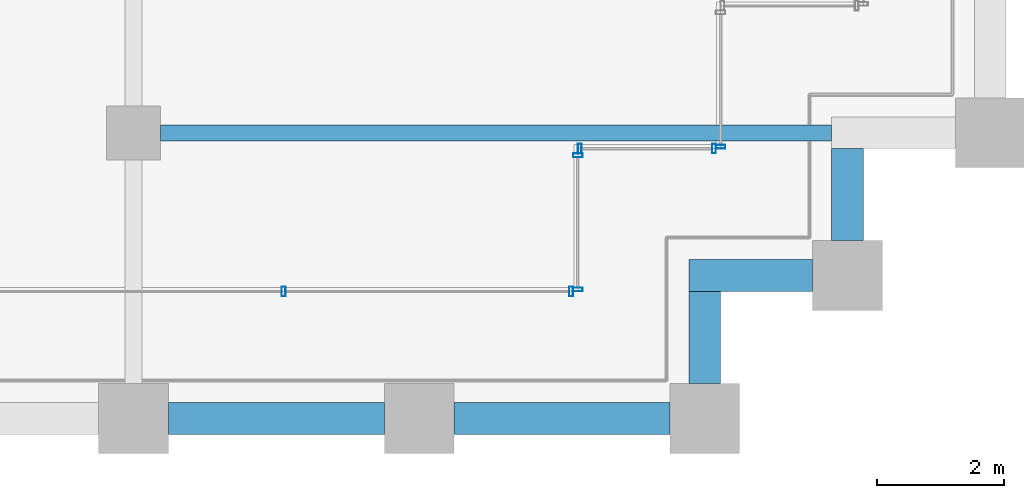
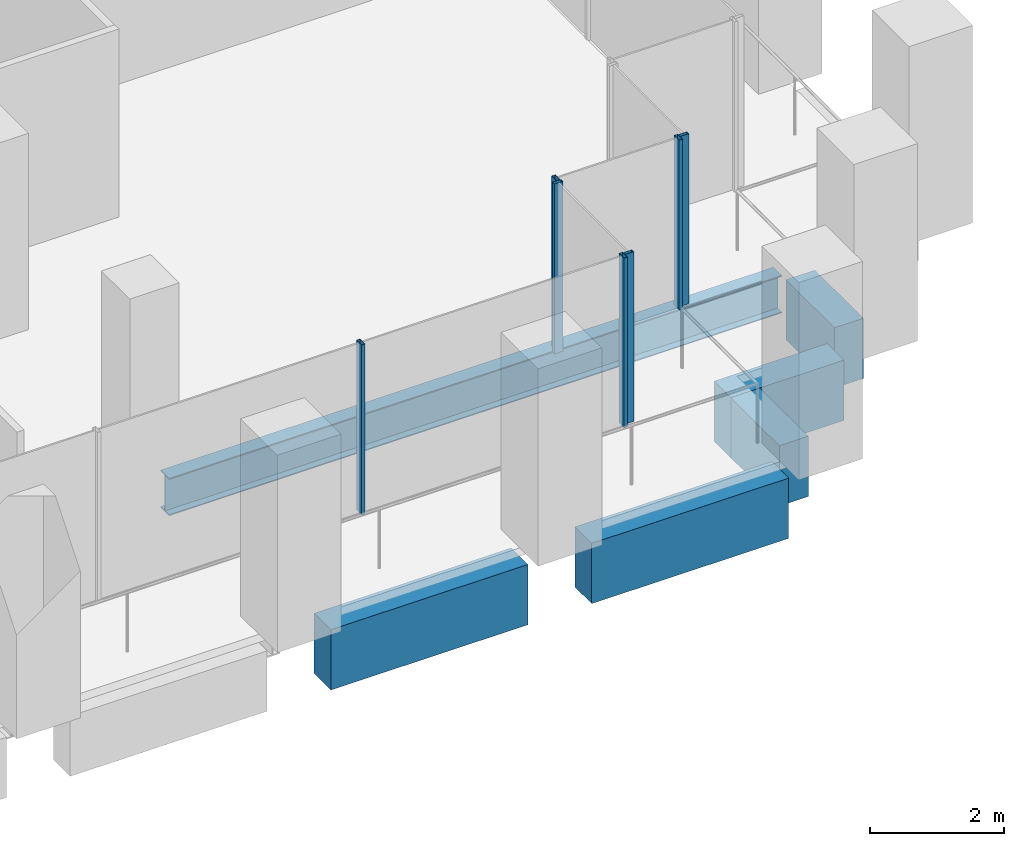
# One storey, part 15 of 54: 7 members, 6 beams, 4 elements without a shape of their own.
"""IFC4 building model written with IfcOpenShell, lengths in metres."""

import ifcopenshell
import ifcopenshell.guid

model = None  # the IFC model being written
_history = None  # IfcOwnerHistory: only IFC2X3 demands one
_inside = {}  # id of a spatial element -> (the spatial element, [elements in it])
_under = {}  # id of a project, library or spatial element -> (it, [spatial elements below it])
_declared = {}  # id of a project -> (the project, [libraries it declares])
_typed = {}  # id of a type object -> (the type object, [elements of that type])
_made_of = {}  # id of a material, layer set ... -> (it, [elements and type objects made of it])


def new_model(schema):
    """Start an empty IFC model of exactly this schema.

    Asked for "IFC4X3", IfcOpenShell would pick the latest addendum, in which some entities
    have other attributes; the version numbers below select the first issue.
    IFC2X3 requires an IfcOwnerHistory on every rooted entity: one is made here for all.
    """
    global model, _history
    if schema == "IFC4X3":
        model = ifcopenshell.file(schema_version=(4, 3, 0, 0))
    else:
        model = ifcopenshell.file(schema=schema)
    _inside.clear()
    _under.clear()
    _declared.clear()
    _typed.clear()
    _made_of.clear()
    _history = None
    if model.schema == "IFC2X3":
        org = make("IfcOrganization", Name="unknown")
        user = make(
            "IfcPersonAndOrganization",
            ThePerson=make("IfcPerson", FamilyName="unknown"),
            TheOrganization=org,
        )
        app = make(
            "IfcApplication",
            ApplicationDeveloper=org,
            Version="unknown",
            ApplicationFullName="unknown",
            ApplicationIdentifier="unknown",
        )
        _history = make(
            "IfcOwnerHistory",
            OwningUser=user,
            OwningApplication=app,
            ChangeAction="ADDED",
            CreationDate=0,
        )
    return model


def make(cls, **values):
    """One entity of the class cls with the attributes given. An attribute that is None is left unset."""
    return model.create_entity(
        cls, **{name: value for name, value in values.items() if value is not None}
    )


def rooted(cls, **values):
    """An entity with a GlobalId (a new one), such as an element, a storey or a relation."""
    return make(cls, GlobalId=ifcopenshell.guid.new(), OwnerHistory=_history, **values)


def si_unit(unit_type, name, prefix=None):
    """IfcSIUnit, for example si_unit("LENGTHUNIT", "METRE", prefix="MILLI")."""
    return make("IfcSIUnit", UnitType=unit_type, Prefix=prefix, Name=name)


def assignment(units):
    """IfcUnitAssignment: the units of a project."""
    return None if units is None else make("IfcUnitAssignment", Units=units)


def point(xyz):
    """IfcCartesianPoint."""
    return None if xyz is None else make("IfcCartesianPoint", Coordinates=xyz)


def direction(xyz):
    """IfcDirection."""
    return None if xyz is None else make("IfcDirection", DirectionRatios=xyz)


def frame(location, z_axis=None, x_axis=None):
    """IfcAxis2Placement3D, a coordinate frame: its origin and axes. An axis left out is left unset."""
    return make(
        "IfcAxis2Placement3D",
        Location=point(location),
        Axis=direction(z_axis),
        RefDirection=direction(x_axis),
    )


def frame_2d(location, x_axis=None):
    """IfcAxis2Placement2D, a coordinate frame in the plane: its origin and x axis."""
    return make(
        "IfcAxis2Placement2D", Location=point(location), RefDirection=direction(x_axis)
    )


def origin():
    """The frame at (0, 0, 0) with its axes left unset."""
    return frame((0.0, 0.0, 0.0))


def origin_2d():
    """The frame at (0, 0) in the plane with its x axis left unset."""
    return frame_2d((0.0, 0.0))


def place(relative_to, where):
    """IfcLocalPlacement: puts the frame where relative to a parent placement (None: the world)."""
    return make(
        "IfcLocalPlacement", PlacementRelTo=relative_to, RelativePlacement=where
    )


def context(
    kind, dimensions, precision=None, world=None, true_north=None, identifier=None
):
    """IfcGeometricRepresentationContext, for example the 3D "Model" context."""
    return make(
        "IfcGeometricRepresentationContext",
        ContextIdentifier=identifier,
        ContextType=kind,
        CoordinateSpaceDimension=dimensions,
        Precision=precision,
        WorldCoordinateSystem=world,
        TrueNorth=true_north,
    )


def subcontext(parent, identifier, kind, view, scale=None):
    """IfcGeometricRepresentationSubContext, for example "Body" below "Model"."""
    return make(
        "IfcGeometricRepresentationSubContext",
        ContextIdentifier=identifier,
        ContextType=kind,
        ParentContext=parent,
        TargetScale=scale,
        TargetView=view,
    )


def project(units=None, contexts=None):
    """IfcProject with its units and contexts."""
    return rooted(
        "IfcProject",
        Name="project",
        RepresentationContexts=contexts,
        UnitsInContext=assignment(units),
    )


def spatial(cls, under=None, at=None, **own):
    """A site, building, storey or space (cls), placed at a placement, below another one or the project."""
    s = rooted(cls, ObjectPlacement=at, **own)
    if under is not None:
        _under.setdefault(under.id(), (under, []))[1].append(s)
    return s


def profile(cls, at=None, kind="AREA", **sizes):
    """A parametric profile (cls). Its sizes go by their IFC names, for example OverallWidth=200.0."""
    return make(cls, ProfileType=kind, Position=at, **sizes)


def rectangle(**sizes):
    """IfcRectangleProfileDef."""
    return profile("IfcRectangleProfileDef", **sizes)


def hollow_rectangle(**sizes):
    """IfcRectangleHollowProfileDef."""
    return profile("IfcRectangleHollowProfileDef", **sizes)


def i_section(**sizes):
    """IfcIShapeProfileDef."""
    return profile("IfcIShapeProfileDef", **sizes)


def extrude(swept, where, along, depth):
    """IfcExtrudedAreaSolid: the profile swept, set in the frame where, extruded along a direction by depth."""
    return make(
        "IfcExtrudedAreaSolid",
        SweptArea=swept,
        Position=where,
        ExtrudedDirection=direction(along),
        Depth=depth,
    )


def shape(context_of_items, identifier, shape_type, items):
    """IfcShapeRepresentation: the items that make up one representation, for example the "Body"."""
    return make(
        "IfcShapeRepresentation",
        ContextOfItems=context_of_items,
        RepresentationIdentifier=identifier,
        RepresentationType=shape_type,
        Items=items,
    )


def material(Name=None, Category=None):
    """IfcMaterial."""
    return make("IfcMaterial", Name=Name, Category=Category)


def material_profile(
    of_material, cross_section, Name=None, Category=None, Priority=None
):
    """IfcMaterialProfile: a cross section and its material."""
    return make(
        "IfcMaterialProfile",
        Name=Name,
        Material=of_material,
        Profile=cross_section,
        Priority=Priority,
        Category=Category,
    )


def profile_set(profiles, Name=None, composite=None):
    """IfcMaterialProfileSet."""
    return make(
        "IfcMaterialProfileSet",
        Name=Name,
        MaterialProfiles=profiles,
        CompositeProfile=composite,
    )


def made_of(thing, what):
    """Note that an element or type object is made of a material, layer set ...; save() writes the relation."""
    if what is not None:
        _made_of.setdefault(what.id(), (what, []))[1].append(thing)
    return thing


def type_object(cls, material=None, **own):
    """A type object (cls), such as IfcWallType, which elements share."""
    return made_of(rooted(cls, **own), material)


def element(
    cls,
    number,
    at=None,
    inside=None,
    cuts=None,
    type_object=None,
    material=None,
    context=None,
    identifier="Body",
    shape_type=None,
    held_by="IfcProductDefinitionShape",
    body=None,
    shapes=None,
    **own,
):
    """One element of the class cls, such as IfcWall. Its Tag is "e" and its number.

    at: its placement. inside: the storey or other place that contains it. cuts: it is an
    opening in that element (IfcRelVoidsElement). A single representation is given by context,
    identifier, shape_type and body (its items); several are given by shapes. held_by: the class
    of the entity that holds the representations. save() writes the other relations.
    """
    e = rooted(cls, Tag="e%d" % number, ObjectPlacement=at, **own)
    if body is not None:
        shapes = [shape(context, identifier, shape_type, body)]
    if shapes is not None:
        e.Representation = make(held_by, Representations=shapes)
    if inside is not None:
        _inside.setdefault(inside.id(), (inside, []))[1].append(e)
    if cuts is not None:
        rooted(
            "IfcRelVoidsElement", RelatingBuildingElement=cuts, RelatedOpeningElement=e
        )
    if type_object is not None:
        _typed.setdefault(type_object.id(), (type_object, []))[1].append(e)
    return made_of(e, material)


def aggregate(whole, parts):
    """IfcRelAggregates: a whole, such as a stair, and the parts it consists of."""
    return rooted("IfcRelAggregates", RelatingObject=whole, RelatedObjects=parts)


def save(model, path):
    """Write the relations noted so far, then the file.

    IfcRelAggregates (storeys below a building ...), IfcRelContainedInSpatialStructure (elements
    in a storey), IfcRelDefinesByType, IfcRelAssociatesMaterial and IfcRelDeclares: one each for
    every whole, place, type object, material and project.
    """
    for whole, parts in _under.values():
        aggregate(whole, parts)
    for where, things in _inside.values():
        rooted(
            "IfcRelContainedInSpatialStructure",
            RelatedElements=things,
            RelatingStructure=where,
        )
    for kind, things in _typed.values():
        rooted("IfcRelDefinesByType", RelatedObjects=things, RelatingType=kind)
    for what, things in _made_of.values():
        rooted("IfcRelAssociatesMaterial", RelatedObjects=things, RelatingMaterial=what)
    for by, libraries in _declared.values():
        rooted("IfcRelDeclares", RelatingContext=by, RelatedDefinitions=libraries)
    model.write(path)


model = new_model("IFC4")

# Units and contexts
model_context = context("Model", 3, precision=1e-05, world=origin(), true_north=direction((0.0, 1.0)))
body_context = subcontext(model_context, "Body", "Model", "MODEL_VIEW")
ifc_project = project(units=[si_unit("LENGTHUNIT", "METRE"), si_unit("AREAUNIT", "SQUARE_METRE"), si_unit("VOLUMEUNIT", "CUBIC_METRE"), si_unit("PLANEANGLEUNIT", "RADIAN"), si_unit("MASSUNIT", "GRAM", prefix="KILO")], contexts=[model_context])

# Site, building, storey
site_placement = place(None, origin())
site = spatial("IfcSite", under=ifc_project, at=site_placement, CompositionType="ELEMENT")
building_placement = place(site_placement, origin())
building = spatial("IfcBuilding", under=site, at=building_placement, Name="Altepetl Exchange Towers", CompositionType="ELEMENT")
storey_placement = place(building_placement, frame((0.0, 0.0, 61.800048828125)))
storey = spatial("IfcBuildingStorey", under=building, at=storey_placement, Name="L14", CompositionType="ELEMENT", Elevation=61.800048828125)

# Beam
ifc_material_1 = material(Name="Steel S355", Category="steel")
ifc_material_profile_1 = material_profile(ifc_material_1, i_section(OverallWidth=0.25390625, OverallDepth=0.68408203125, WebThickness=0.012451171875, FlangeThickness=0.018798828125, at=origin_2d()), Name="W27X94")
ifc_profile_set_1 = profile_set([ifc_material_profile_1], Name="Steel S355")
beam_type_1 = type_object("IfcBeamType", Name="Floor beam W27X94", PredefinedType="BEAM", material=ifc_profile_set_1)
beam_1_placement = place(storey_placement, frame((58.925048828125, 31.5, -0.491943359375), z_axis=(1.0, 0.0, 0.0), x_axis=(0.0, 1.0, 0.0)))
element("IfcBeam", 1, at=beam_1_placement, inside=storey, type_object=beam_type_1, Name="bm:A:L14:006", PredefinedType="BEAM", context=body_context, shape_type="SweptSolid", body=[
    extrude(i_section(OverallWidth=0.25390625, OverallDepth=0.68408203125, WebThickness=0.012451171875, FlangeThickness=0.018798828125, at=origin_2d()), origin(), (0.0, 0.0, 1.0), 10.574951171875),
])

# Curtain wall, members
ifc_material_2 = material(Name="Aluminium 6063-T6 glazing", Category="aluminium")
curtain_wall_type = type_object("IfcCurtainWallType", Name="Loggia glazing system", PredefinedType="NOTDEFINED", material=ifc_material_2)
curtain_wall_1_placement = place(storey_placement, origin())
curtain_wall_1 = element("IfcCurtainWall", 2, at=curtain_wall_1_placement, inside=storey, type_object=curtain_wall_type, Name="CW1 run", PredefinedType="NOTDEFINED")
ifc_material_3 = material(Name="Aluminium 6063-T6", Category="aluminium")
ifc_material_profile_2 = material_profile(ifc_material_3, hollow_rectangle(XDim=0.06005859375, YDim=0.14990234375, WallThickness=0.0029296875, at=origin_2d()), Name="Mullion 60x150 aluminium")
ifc_profile_set_2 = profile_set([ifc_material_profile_2], Name="Aluminium 6063-T6")
member_type = type_object("IfcMemberType", Name="Mullion 60x150 aluminium", PredefinedType="MULLION", material=ifc_profile_set_2)
member_1_placement = place(storey_placement, frame((60.8642578125, 29.0, 0.0)))
member_1 = element("IfcMember", 3, at=member_1_placement, type_object=member_type, Name="MU1 mullion", PredefinedType="MULLION", context=body_context, shape_type="SweptSolid", body=[
    extrude(hollow_rectangle(XDim=0.06005859375, YDim=0.14990234375, WallThickness=0.0029296875, at=origin_2d()), origin(), (0.0, 0.0, 1.0), 3.099853515625),
])
member_2_placement = place(storey_placement, frame((65.39501953125, 29.0, 0.0)))
member_2 = element("IfcMember", 4, at=member_2_placement, type_object=member_type, Name="MU1 mullion", PredefinedType="MULLION", context=body_context, shape_type="SweptSolid", body=[
    extrude(hollow_rectangle(XDim=0.06005859375, YDim=0.14990234375, WallThickness=0.0029296875, at=origin_2d()), origin(), (0.0, 0.0, 1.0), 3.099853515625),
])
aggregate(curtain_wall_1, [member_1, member_2])

curtain_wall_2_placement = place(storey_placement, origin())
curtain_wall_2 = element("IfcCurtainWall", 5, at=curtain_wall_2_placement, inside=storey, type_object=curtain_wall_type, Name="CW1 run", PredefinedType="NOTDEFINED")
member_3_placement = place(storey_placement, frame((65.5, 29.030029296875, 0.0), z_axis=(0.0, 0.0, 1.0), x_axis=(0.0, 1.0, 0.0)))
member_3 = element("IfcMember", 6, at=member_3_placement, type_object=member_type, Name="MU1 mullion", PredefinedType="MULLION", context=body_context, shape_type="SweptSolid", body=[
    extrude(hollow_rectangle(XDim=0.06005859375, YDim=0.14990234375, WallThickness=0.0029296875, at=origin_2d()), origin(), (0.0, 0.0, 1.0), 3.099853515625),
])
member_4_placement = place(storey_placement, frame((65.5, 31.14501953125, 0.0), z_axis=(0.0, 0.0, 1.0), x_axis=(0.0, 1.0, 0.0)))
member_4 = element("IfcMember", 7, at=member_4_placement, type_object=member_type, Name="MU1 mullion", PredefinedType="MULLION", context=body_context, shape_type="SweptSolid", body=[
    extrude(hollow_rectangle(XDim=0.06005859375, YDim=0.14990234375, WallThickness=0.0029296875, at=origin_2d()), origin(), (0.0, 0.0, 1.0), 3.099853515625),
])
aggregate(curtain_wall_2, [member_3, member_4])

curtain_wall_3_placement = place(storey_placement, origin())
curtain_wall_3 = element("IfcCurtainWall", 8, at=curtain_wall_3_placement, inside=storey, type_object=curtain_wall_type, Name="CW1 run", PredefinedType="NOTDEFINED")
member_5_placement = place(storey_placement, frame((65.530029296875, 31.25, 0.0)))
member_5 = element("IfcMember", 9, at=member_5_placement, type_object=member_type, Name="MU1 mullion", PredefinedType="MULLION", context=body_context, shape_type="SweptSolid", body=[
    extrude(hollow_rectangle(XDim=0.06005859375, YDim=0.14990234375, WallThickness=0.0029296875, at=origin_2d()), origin(), (0.0, 0.0, 1.0), 3.099853515625),
])
member_6_placement = place(storey_placement, frame((67.64501953125, 31.25, 0.0)))
member_6 = element("IfcMember", 10, at=member_6_placement, type_object=member_type, Name="MU1 mullion", PredefinedType="MULLION", context=body_context, shape_type="SweptSolid", body=[
    extrude(hollow_rectangle(XDim=0.06005859375, YDim=0.14990234375, WallThickness=0.0029296875, at=origin_2d()), origin(), (0.0, 0.0, 1.0), 3.099853515625),
])
aggregate(curtain_wall_3, [member_5, member_6])

# Curtain wall, member
curtain_wall_4_placement = place(storey_placement, origin())
curtain_wall_4 = element("IfcCurtainWall", 11, at=curtain_wall_4_placement, inside=storey, type_object=curtain_wall_type, Name="CW1 run", PredefinedType="NOTDEFINED")
member_7_placement = place(storey_placement, frame((67.75, 31.280029296875, 0.0), z_axis=(0.0, 0.0, 1.0), x_axis=(0.0, 1.0, 0.0)))
member_7 = element("IfcMember", 12, at=member_7_placement, type_object=member_type, Name="MU1 mullion", PredefinedType="MULLION", context=body_context, shape_type="SweptSolid", body=[
    extrude(hollow_rectangle(XDim=0.06005859375, YDim=0.14990234375, WallThickness=0.0029296875, at=origin_2d()), origin(), (0.0, 0.0, 1.0), 3.099853515625),
])
aggregate(curtain_wall_4, [member_7])

# Beams
ifc_material_4 = material(Name="Concrete C50/60 precast with cantera amarilla facing", Category="concrete")
ifc_material_profile_3 = material_profile(ifc_material_4, rectangle(XDim=0.5, YDim=1.10009765625, at=origin_2d()), Name="500 x 1100")
ifc_profile_set_3 = profile_set([ifc_material_profile_3], Name="Concrete C50/60 precast with cantera amarilla facing")
beam_type_2 = type_object("IfcBeamType", Name="Spandrel beam 500x1100 cantera amarilla", PredefinedType="SPANDREL", material=ifc_profile_set_3)
for number, where, z_axis, x_axis, name in (
    (13, (59.050048828125, 27.0, -0.699951171875), (1.0, 0.0, 0.0), (0.0, 1.0, 0.0), "sp:A:L14:006"),
    (14, (63.550048828125, 27.0, -0.699951171875), (1.0, 0.0, 0.0), (0.0, 1.0, 0.0), "sp:A:L14:007"),
):
    element("IfcBeam", number, at=place(storey_placement, frame(where, z_axis=z_axis, x_axis=x_axis)), inside=storey, type_object=beam_type_2, Name=name, PredefinedType="SPANDREL", context=body_context, shape_type="SweptSolid", body=[
        extrude(rectangle(XDim=0.5, YDim=1.10009765625, at=origin_2d()), origin(), (0.0, 0.0, 1.0), 3.39990234375),
    ])
beam_2_placement = place(storey_placement, frame((67.5, 27.550048828125, -0.699951171875), z_axis=(0.0, 1.0, 0.0), x_axis=(-1.0, 0.0, 0.0)))
element("IfcBeam", 15, at=beam_2_placement, inside=storey, type_object=beam_type_2, Name="sp:A:L14:008", PredefinedType="SPANDREL", context=body_context, shape_type="SweptSolid", body=[
    extrude(rectangle(XDim=0.5, YDim=1.10009765625, at=origin_2d()), origin(), (0.0, 0.0, 1.0), 1.449951171875),
])
beam_3_placement = place(storey_placement, frame((67.25, 29.25, -0.699951171875), z_axis=(1.0, 0.0, 0.0), x_axis=(0.0, 1.0, 0.0)))
element("IfcBeam", 16, at=beam_3_placement, inside=storey, type_object=beam_type_2, Name="sp:A:L14:009", PredefinedType="SPANDREL", context=body_context, shape_type="SweptSolid", body=[
    extrude(rectangle(XDim=0.5, YDim=1.10009765625, at=origin_2d()), origin(), (0.0, 0.0, 1.0), 1.949951171875),
])
beam_4_placement = place(storey_placement, frame((69.75, 29.800048828125, -0.699951171875), z_axis=(0.0, 1.0, 0.0), x_axis=(-1.0, 0.0, 0.0)))
element("IfcBeam", 17, at=beam_4_placement, inside=storey, type_object=beam_type_2, Name="sp:A:L14:010", PredefinedType="SPANDREL", context=body_context, shape_type="SweptSolid", body=[
    extrude(rectangle(XDim=0.5, YDim=1.10009765625, at=origin_2d()), origin(), (0.0, 0.0, 1.0), 1.449951171875),
])

save(model, "model.ifc")
